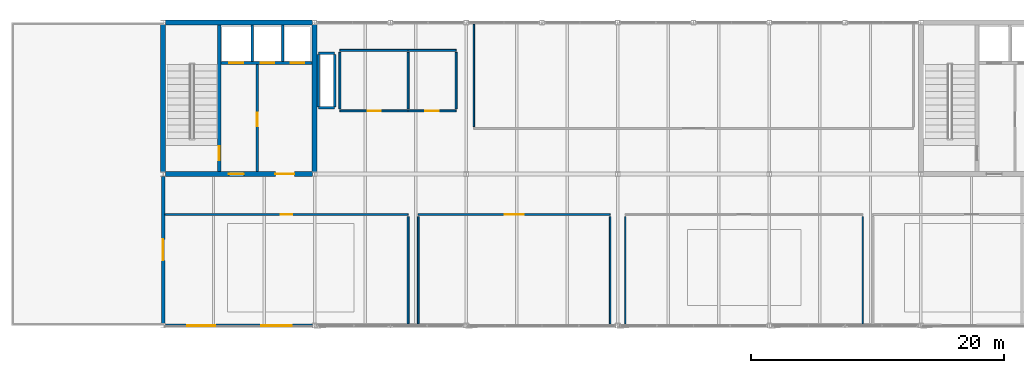
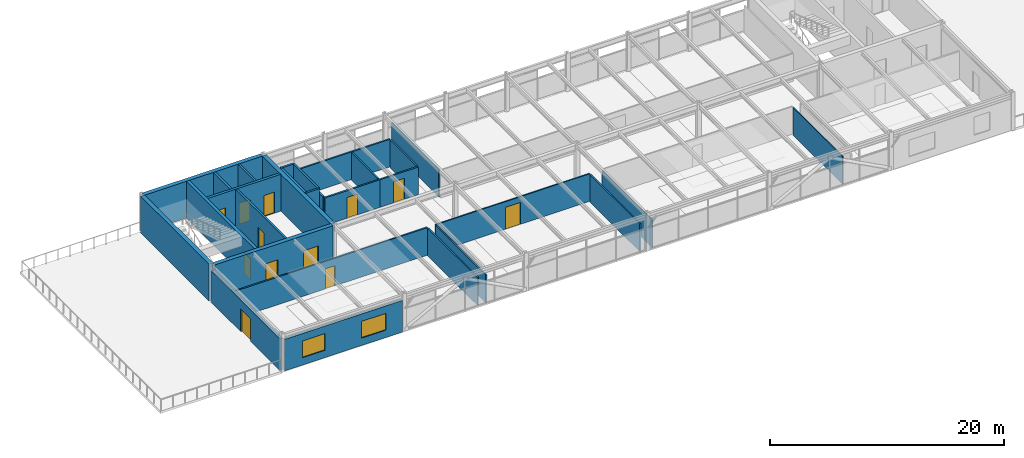
# One storey, part 27 of 32: 30 walls, 12 doors, 2 windows, 14 openings.
"""IFC4 building model written with IfcOpenShell, lengths in metres."""

from ifc_helpers import new_model, si_unit, direction, frame, frame_2d, origin, place, context, subcontext, project, spatial, rectangle, extrude, material, layer, layer_set, type_object, element, fill, save


model = new_model("IFC4")

# Units and contexts
model_context = context("Model", 3, precision=1e-05, world=origin(), true_north=direction((0.0, 1.0)))
body_context = subcontext(model_context, "Body", "Model", "MODEL_VIEW")
ifc_project = project(units=[si_unit("LENGTHUNIT", "METRE"), si_unit("AREAUNIT", "SQUARE_METRE"), si_unit("VOLUMEUNIT", "CUBIC_METRE"), si_unit("PLANEANGLEUNIT", "RADIAN"), si_unit("MASSUNIT", "GRAM", prefix="KILO")], contexts=[model_context])

# Site, building, storey
site_placement = place(None, origin())
site = spatial("IfcSite", under=ifc_project, at=site_placement, CompositionType="ELEMENT")
building_placement = place(site_placement, origin())
building = spatial("IfcBuilding", under=site, at=building_placement, Name="Girod Span Mobility Hub", CompositionType="ELEMENT")
storey_placement = place(building_placement, frame((0.0, 0.0, 61.60009765625)))
storey = spatial("IfcBuildingStorey", under=building, at=storey_placement, Name="L15", CompositionType="ELEMENT", Elevation=61.60009765625)

# Wall, openings, doors
ifc_material_1 = material(Name="Concrete C40/50", Category="concrete")
ifc_layer_1 = layer(ifc_material_1, 0.39990234375)
ifc_layer_set_1 = layer_set([ifc_layer_1], Name="Concrete C40/50")
wall_type_1 = type_object("IfcWallType", Name="W-CW-400", PredefinedType="SHEAR", material=ifc_layer_set_1)
wall_1_placement = place(storey_placement, frame((48.181396484375, 57.0, 0.0), z_axis=(0.0, 0.0, 1.0), x_axis=(1.0, 0.0, 0.0)))
wall_1 = element("IfcWall", 1, at=wall_1_placement, inside=storey, type_object=wall_type_1, Name="Core C1 Shear Wall S L15", PredefinedType="SHEAR", context=body_context, shape_type="SweptSolid", body=[
    extrude(rectangle(XDim=11.63720703125, YDim=0.39990234375, at=frame_2d((5.818603515625, 0.0))), origin(), (0.0, 0.0, 1.0), 3.843017578125),
])
opening_1_placement = place(wall_1_placement, frame((5.01904296875, 0.0, 0.0)))
opening_1 = element("IfcOpeningElement", 2, at=opening_1_placement, cuts=wall_1, Name="Opening D-FL-C1-L15", PredefinedType="OPENING", context=body_context, shape_type="SweptSolid", body=[
    extrude(rectangle(XDim=1.199951171875, YDim=2.199951171875, at=frame_2d((0.60009765625, 1.10009765625))), frame((0.0, 0.21484375, 0.0), z_axis=(0.0, -1.0, 0.0), x_axis=(1.0, 0.0, 0.0)), (0.0, 0.0, 1.0), 0.429931640625),
])
opening_2_placement = place(wall_1_placement, frame((8.718017578125, 0.0, 0.0)))
opening_2 = element("IfcOpeningElement", 3, at=opening_2_placement, cuts=wall_1, Name="Opening D-LB-C1-L15", PredefinedType="OPENING", context=body_context, shape_type="SweptSolid", body=[
    extrude(rectangle(XDim=1.5, YDim=2.25, at=frame_2d((0.75, 1.125))), frame((0.0, 0.21484375, 0.0), z_axis=(0.0, -1.0, 0.0), x_axis=(1.0, 0.0, 0.0)), (0.0, 0.0, 1.0), 0.429931640625),
])
ifc_material_2 = material(Name="Fire-Rated Insulated Hollow Metal Steel", Category="steel")
door_type_1 = type_object("IfcDoorType", Name="DT-FD-03", OperationType="DOUBLE_DOOR_SINGLE_SWING", PredefinedType="DOOR", material=ifc_material_2)
door_1_placement = place(opening_2_placement, origin())
door_1 = element("IfcDoor", 4, at=door_1_placement, inside=storey, type_object=door_type_1, Name="Lift Lobby Entry Door C1 L15", OperationType="DOUBLE_DOOR_SINGLE_SWING", OverallHeight=2.25, OverallWidth=1.5, PredefinedType="DOOR", context=body_context, shape_type="SweptSolid", body=[
    extrude(rectangle(XDim=1.5, YDim=2.25, at=frame_2d((0.75, 1.125))), frame((0.0, 0.02490234375, 0.0), z_axis=(0.0, -1.0, 0.0), x_axis=(1.0, 0.0, 0.0)), (0.0, 0.0, 1.0), 0.050048828125),
])
fill(opening_2, door_1)
ifc_material_3 = material(Name="Fire-Rated Insulated Hollow Metal Steel", Category="steel")
door_type_2 = type_object("IfcDoorType", Name="DT-FD-05", OperationType="NOTDEFINED", PredefinedType="DOOR", material=ifc_material_3)
door_2_placement = place(opening_1_placement, origin())
door_2 = element("IfcDoor", 5, at=door_2_placement, inside=storey, type_object=door_type_2, Name="Firefighting Lobby Entry Door C1 L15", OperationType="SINGLE_SWING_RIGHT", OverallHeight=2.199951171875, OverallWidth=1.199951171875, PredefinedType="DOOR", context=body_context, shape_type="SweptSolid", body=[
    extrude(rectangle(XDim=1.199951171875, YDim=2.199951171875, at=frame_2d((0.60009765625, 1.10009765625))), frame((0.0, 0.02490234375, 0.0), z_axis=(0.0, -1.0, 0.0), x_axis=(1.0, 0.0, 0.0)), (0.0, 0.0, 1.0), 0.050048828125),
])
fill(opening_1, door_2)

# Walls
wall_2_placement = place(storey_placement, frame((48.181396484375, 69.0, 0.0), z_axis=(0.0, 0.0, 1.0), x_axis=(1.0, 0.0, 0.0)))
element("IfcWall", 6, at=wall_2_placement, inside=storey, type_object=wall_type_1, Name="Core C1 Shear Wall N L15", PredefinedType="SHEAR", context=body_context, shape_type="SweptSolid", body=[
    extrude(rectangle(XDim=11.63720703125, YDim=0.39990234375, at=frame_2d((5.818603515625, 0.0))), origin(), (0.0, 0.0, 1.0), 3.843017578125),
])
for number, where, z_axis, x_axis, name in (
    (7, (48.0, 57.175048828125, 0.0), (0.0, 0.0, 1.0), (0.0, 1.0, 0.0), "Core C1 Shear Wall W L15"),
    (8, (60.0, 57.175048828125, 0.0), (0.0, 0.0, 1.0), (0.0, 1.0, 0.0), "Core C1 Shear Wall E L15"),
):
    element("IfcWall", number, at=place(storey_placement, frame(where, z_axis=z_axis, x_axis=x_axis)), inside=storey, type_object=wall_type_1, Name=name, PredefinedType="SHEAR", context=body_context, shape_type="SweptSolid", body=[
        extrude(rectangle(XDim=11.64990234375, YDim=0.39990234375, at=frame_2d((5.824951171875, 0.0))), origin(), (0.0, 0.0, 1.0), 3.843017578125),
    ])

# Wall, openings, windows
ifc_material_4 = material(Name="Precast Architectural Concrete C40/50", Category="concrete")
ifc_layer_2 = layer(ifc_material_4, 0.235107421875)
ifc_layer_set_2 = layer_set([ifc_layer_2], Name="Precast Architectural Concrete C40/50")
wall_type_2 = type_object("IfcWallType", Name="W-EXT-235", PredefinedType="SOLIDWALL", material=ifc_layer_set_2)
wall_3_placement = place(storey_placement, frame((48.1826171875, 45.0, 0.0), z_axis=(0.0, 0.0, 1.0), x_axis=(1.0, 0.0, 0.0)))
wall_3 = element("IfcWall", 9, at=wall_3_placement, inside=storey, type_object=wall_type_2, Name="Office Insulated Facade Wall S-5 L15", PredefinedType="SOLIDWALL", context=body_context, shape_type="SweptSolid", body=[
    extrude(rectangle(XDim=11.634765625, YDim=0.235107421875, at=frame_2d((5.8173828125, 0.0))), origin(), (0.0, 0.0, 1.0), 3.2958984375),
])
opening_3_placement = place(wall_3_placement, frame((1.739990234375, 0.0, 0.780029296875)))
opening_3 = element("IfcOpeningElement", 10, at=opening_3_placement, cuts=wall_3, Name="Opening W-L15-S4A", PredefinedType="OPENING", context=body_context, shape_type="SweptSolid", body=[
    extrude(rectangle(XDim=2.219970703125, YDim=1.739990234375, at=frame_2d((1.10986328125, 0.8701171875))), frame((0.0, 0.132568359375, 0.0), z_axis=(0.0, -1.0, 0.0), x_axis=(1.0, 0.0, 0.0)), (0.0, 0.0, 1.0), 0.26513671875),
])
opening_4_placement = place(wall_3_placement, frame((7.5849609375, 0.0, 0.780029296875)))
opening_4 = element("IfcOpeningElement", 11, at=opening_4_placement, cuts=wall_3, Name="Opening W-L15-S4B", PredefinedType="OPENING", context=body_context, shape_type="SweptSolid", body=[
    extrude(rectangle(XDim=2.39990234375, YDim=1.739990234375, at=frame_2d((1.199951171875, 0.8701171875))), frame((0.0, 0.132568359375, 0.0), z_axis=(0.0, -1.0, 0.0), x_axis=(1.0, 0.0, 0.0)), (0.0, 0.0, 1.0), 0.26513671875),
])
ifc_material_5 = material(Name="Double Low-E Insulated Glazing", Category="glass")
window_type_1 = type_object("IfcWindowType", Name="WN-36", PartitioningType="DOUBLE_PANEL_VERTICAL", PredefinedType="WINDOW", material=ifc_material_5)
window_1_placement = place(opening_3_placement, origin())
window_1 = element("IfcWindow", 12, at=window_1_placement, inside=storey, type_object=window_type_1, Name="Office Window WN-36", OverallHeight=1.739990234375, OverallWidth=2.219970703125, PartitioningType="DOUBLE_PANEL_VERTICAL", PredefinedType="WINDOW", context=body_context, shape_type="SweptSolid", body=[
    extrude(rectangle(XDim=2.219970703125, YDim=1.739990234375, at=frame_2d((1.10986328125, 0.8701171875))), frame((0.0, 0.030029296875, 0.0), z_axis=(0.0, -1.0, 0.0), x_axis=(1.0, 0.0, 0.0)), (0.0, 0.0, 1.0), 0.06005859375),
])
fill(opening_3, window_1)
ifc_material_6 = material(Name="Double Low-E Insulated Glazing", Category="glass")
window_type_2 = type_object("IfcWindowType", Name="WN-37", PartitioningType="DOUBLE_PANEL_VERTICAL", PredefinedType="WINDOW", material=ifc_material_6)
window_2_placement = place(opening_4_placement, origin())
window_2 = element("IfcWindow", 13, at=window_2_placement, inside=storey, type_object=window_type_2, Name="Office Window WN-37", OverallHeight=1.739990234375, OverallWidth=2.39990234375, PartitioningType="DOUBLE_PANEL_VERTICAL", PredefinedType="WINDOW", context=body_context, shape_type="SweptSolid", body=[
    extrude(rectangle(XDim=2.39990234375, YDim=1.739990234375, at=frame_2d((1.199951171875, 0.8701171875))), frame((0.0, 0.030029296875, 0.0), z_axis=(0.0, -1.0, 0.0), x_axis=(1.0, 0.0, 0.0)), (0.0, 0.0, 1.0), 0.06005859375),
])
fill(opening_4, window_2)

# Wall, opening, door
ifc_material_7 = material(Name="Precast Architectural Concrete C40/50", Category="concrete")
ifc_layer_3 = layer(ifc_material_7, 0.27001953125)
ifc_layer_set_3 = layer_set([ifc_layer_3], Name="Precast Architectural Concrete C40/50")
wall_type_3 = type_object("IfcWallType", Name="W-EXT-270", PredefinedType="SOLIDWALL", material=ifc_layer_set_3)
wall_4_placement = place(storey_placement, frame((48.0, 45.176025390625, 0.0), z_axis=(0.0, 0.0, 1.0), x_axis=(0.0, 1.0, 0.0)))
wall_4 = element("IfcWall", 14, at=wall_4_placement, inside=storey, type_object=wall_type_3, Name="L15 W Sky Terrace Wall", PredefinedType="SOLIDWALL", context=body_context, shape_type="SweptSolid", body=[
    extrude(rectangle(XDim=11.64794921875, YDim=0.27001953125, at=frame_2d((5.823974609375, 0.0))), origin(), (0.0, 0.0, 1.0), 3.2958984375),
])
opening_5_placement = place(wall_4_placement, frame((4.98388671875, 0.0, 0.0)))
opening_5 = element("IfcOpeningElement", 15, at=opening_5_placement, cuts=wall_4, Name="Opening D-L15-WT", PredefinedType="OPENING", context=body_context, shape_type="SweptSolid", body=[
    extrude(rectangle(XDim=1.679931640625, YDim=2.340087890625, at=frame_2d((0.83984375, 1.169921875))), frame((0.0, 0.14990234375, 0.0), z_axis=(0.0, -1.0, 0.0), x_axis=(1.0, 0.0, 0.0)), (0.0, 0.0, 1.0), 0.300048828125),
])
ifc_material_8 = material(Name="Thermally Broken Anodised Aluminium", Category="aluminium")
door_type_3 = type_object("IfcDoorType", Name="DR-EXT-09", OperationType="DOUBLE_DOOR_SINGLE_SWING", PredefinedType="DOOR", material=ifc_material_8)
door_3_placement = place(opening_5_placement, origin())
door_3 = element("IfcDoor", 16, at=door_3_placement, inside=storey, type_object=door_type_3, Name="L15 W Sky Terrace Door", OperationType="DOUBLE_DOOR_SINGLE_SWING", OverallHeight=2.340087890625, OverallWidth=1.679931640625, PredefinedType="DOOR", context=body_context, shape_type="SweptSolid", body=[
    extrude(rectangle(XDim=1.679931640625, YDim=2.340087890625, at=frame_2d((0.83984375, 1.169921875))), frame((0.0, 0.02490234375, 0.0), z_axis=(0.0, -1.0, 0.0), x_axis=(1.0, 0.0, 0.0)), (0.0, 0.0, 1.0), 0.050048828125),
])
fill(opening_5, door_3)

ifc_material_9 = material(Name="Concrete C40/50", Category="concrete")
ifc_layer_4 = layer(ifc_material_9, 0.18994140625)
ifc_layer_set_4 = layer_set([ifc_layer_4], Name="Concrete C40/50")
wall_type_4 = type_object("IfcWallType", Name="W-FL-190", PredefinedType="SOLIDWALL", material=ifc_layer_set_4)
wall_5_placement = place(storey_placement, frame((55.449951171875, 57.199951171875, 0.0), z_axis=(0.0, 0.0, 1.0), x_axis=(0.0, 1.0, 0.0)))
wall_5 = element("IfcWall", 17, at=wall_5_placement, inside=storey, type_object=wall_type_4, Name="Core C1 Firefighting Lobby Wall L15", PredefinedType="SOLIDWALL", context=body_context, shape_type="SweptSolid", body=[
    extrude(rectangle(XDim=8.47998046875, YDim=0.18994140625, at=frame_2d((4.239990234375, 0.0))), origin(), (0.0, 0.0, 1.0), 3.8330078125),
])
opening_6_placement = place(wall_5_placement, frame((3.60009765625, 0.0, 0.0)))
opening_6 = element("IfcOpeningElement", 18, at=opening_6_placement, cuts=wall_5, Name="Opening D-FLX-C1-L15", PredefinedType="OPENING", context=body_context, shape_type="SweptSolid", body=[
    extrude(rectangle(XDim=1.0400390625, YDim=2.179931640625, at=frame_2d((0.52001953125, 1.08984375))), frame((0.0, 0.10986328125, 0.0), z_axis=(0.0, -1.0, 0.0), x_axis=(1.0, 0.0, 0.0)), (0.0, 0.0, 1.0), 0.219970703125),
])
ifc_material_10 = material(Name="Fire-Rated Insulated Hollow Metal Steel", Category="steel")
door_type_4 = type_object("IfcDoorType", Name="DT-FD-02", OperationType="NOTDEFINED", PredefinedType="DOOR", material=ifc_material_10)
door_4_placement = place(opening_6_placement, origin())
door_4 = element("IfcDoor", 19, at=door_4_placement, inside=storey, type_object=door_type_4, Name="Firefighting Lobby Interconnect Door C1 L15", OperationType="SINGLE_SWING_RIGHT", OverallHeight=2.179931640625, OverallWidth=1.0400390625, PredefinedType="DOOR", context=body_context, shape_type="SweptSolid", body=[
    extrude(rectangle(XDim=1.0400390625, YDim=2.179931640625, at=frame_2d((0.52001953125, 1.08984375))), frame((0.0, 0.02490234375, 0.0), z_axis=(0.0, -1.0, 0.0), x_axis=(1.0, 0.0, 0.0)), (0.0, 0.0, 1.0), 0.050048828125),
])
fill(opening_6, door_4)

ifc_material_11 = material(Name="Fire-Rated Gypsum Board on Metal Studs", Category="gypsum")
ifc_layer_5 = layer(ifc_material_11, 0.155029296875)
ifc_layer_set_5 = layer_set([ifc_layer_5], Name="Fire-Rated Gypsum Board on Metal Studs")
wall_type_5 = type_object("IfcWallType", Name="W-PLB-155", PredefinedType="PLUMBINGWALL", material=ifc_layer_set_5)
wall_6_placement = place(storey_placement, frame((62.0, 62.0, 0.0), z_axis=(0.0, 0.0, 1.0), x_axis=(1.0, 0.0, 0.0)))
wall_6 = element("IfcWall", 20, at=wall_6_placement, inside=storey, type_object=wall_type_5, Name="Restroom L15 Partition S", PredefinedType="PLUMBINGWALL", context=body_context, shape_type="SweptSolid", body=[
    extrude(rectangle(XDim=5.39990234375, YDim=0.155029296875, at=frame_2d((2.699951171875, 0.0))), origin(), (0.0, 0.0, 1.0), 2.8798828125),
])
opening_7_placement = place(wall_6_placement, frame((2.18505859375, 0.0, 0.0)))
opening_7 = element("IfcOpeningElement", 21, at=opening_7_placement, cuts=wall_6, Name="Opening D-L15-WC-MAIN", PredefinedType="OPENING", context=body_context, shape_type="SweptSolid", body=[
    extrude(rectangle(XDim=1.030029296875, YDim=2.169921875, at=frame_2d((0.51513671875, 1.0849609375))), frame((0.0, 0.092529296875, 0.0), z_axis=(0.0, -1.0, 0.0), x_axis=(1.0, 0.0, 0.0)), (0.0, 0.0, 1.0), 0.18505859375),
])
ifc_material_12 = material(Name="Solid-Core Architectural Timber", Category="wood")
door_type_5 = type_object("IfcDoorType", Name="DT-NR-04", OperationType="NOTDEFINED", PredefinedType="DOOR", material=ifc_material_12)
door_5_placement = place(opening_7_placement, origin())
door_5 = element("IfcDoor", 22, at=door_5_placement, inside=storey, type_object=door_type_5, Name="Restroom L15 Door", OperationType="SINGLE_SWING_RIGHT", OverallHeight=2.169921875, OverallWidth=1.030029296875, PredefinedType="DOOR", context=body_context, shape_type="SweptSolid", body=[
    extrude(rectangle(XDim=1.030029296875, YDim=2.169921875, at=frame_2d((0.51513671875, 1.0849609375))), frame((0.0, 0.02490234375, 0.0), z_axis=(0.0, -1.0, 0.0), x_axis=(1.0, 0.0, 0.0)), (0.0, 0.0, 1.0), 0.050048828125),
])
fill(opening_7, door_5)

# Walls
wall_7_placement = place(storey_placement, frame((62.0, 66.800048828125, 0.0), z_axis=(0.0, 0.0, 1.0), x_axis=(1.0, 0.0, 0.0)))
element("IfcWall", 23, at=wall_7_placement, inside=storey, type_object=wall_type_5, Name="Restroom L15 Partition N", PredefinedType="PLUMBINGWALL", context=body_context, shape_type="SweptSolid", body=[
    extrude(rectangle(XDim=5.39990234375, YDim=0.155029296875, at=frame_2d((2.699951171875, 0.0))), origin(), (0.0, 0.0, 1.0), 2.8798828125),
])
for number, where, z_axis, x_axis, name in (
    (24, (62.0, 62.159912109375, 0.0), (0.0, 0.0, 1.0), (0.0, 1.0, 0.0), "Restroom L15 Partition W"),
    (25, (67.39990234375, 62.159912109375, 0.0), (0.0, 0.0, 1.0), (0.0, 1.0, 0.0), "Restroom L15 Partition E"),
):
    element("IfcWall", number, at=place(storey_placement, frame(where, z_axis=z_axis, x_axis=x_axis)), inside=storey, type_object=wall_type_5, Name=name, PredefinedType="PLUMBINGWALL", context=body_context, shape_type="SweptSolid", body=[
        extrude(rectangle(XDim=4.47998046875, YDim=0.155029296875, at=frame_2d((2.239990234375, 0.0))), origin(), (0.0, 0.0, 1.0), 2.8798828125),
    ])

# Wall, opening, door
wall_8_placement = place(storey_placement, frame((67.39990234375, 62.0, 0.0), z_axis=(0.0, 0.0, 1.0), x_axis=(1.0, 0.0, 0.0)))
wall_8 = element("IfcWall", 26, at=wall_8_placement, inside=storey, type_object=wall_type_5, Name="Accessible WC L15 Partition S", PredefinedType="PLUMBINGWALL", context=body_context, shape_type="SweptSolid", body=[
    extrude(rectangle(XDim=3.800048828125, YDim=0.155029296875, at=frame_2d((1.89990234375, 0.0))), origin(), (0.0, 0.0, 1.0), 2.8798828125),
])
opening_8_placement = place(wall_8_placement, frame((1.364990234375, 0.0, 0.0)))
opening_8 = element("IfcOpeningElement", 27, at=opening_8_placement, cuts=wall_8, Name="Opening D-L15-WC-ACC", PredefinedType="OPENING", context=body_context, shape_type="SweptSolid", body=[
    extrude(rectangle(XDim=1.070068359375, YDim=2.18994140625, at=frame_2d((0.53515625, 1.094970703125))), frame((0.0, 0.092529296875, 0.0), z_axis=(0.0, -1.0, 0.0), x_axis=(1.0, 0.0, 0.0)), (0.0, 0.0, 1.0), 0.18505859375),
])
ifc_material_13 = material(Name="Solid-Core Architectural Timber", Category="wood")
door_type_6 = type_object("IfcDoorType", Name="DT-NR-05", OperationType="NOTDEFINED", PredefinedType="DOOR", material=ifc_material_13)
door_6_placement = place(opening_8_placement, origin())
door_6 = element("IfcDoor", 28, at=door_6_placement, inside=storey, type_object=door_type_6, Name="Accessible WC L15 Door", OperationType="SINGLE_SWING_LEFT", OverallHeight=2.18994140625, OverallWidth=1.070068359375, PredefinedType="DOOR", context=body_context, shape_type="SweptSolid", body=[
    extrude(rectangle(XDim=1.070068359375, YDim=2.18994140625, at=frame_2d((0.53515625, 1.094970703125))), frame((0.0, 0.02490234375, 0.0), z_axis=(0.0, -1.0, 0.0), x_axis=(1.0, 0.0, 0.0)), (0.0, 0.0, 1.0), 0.050048828125),
])
fill(opening_8, door_6)

# Walls
wall_9_placement = place(storey_placement, frame((67.39990234375, 66.800048828125, 0.0), z_axis=(0.0, 0.0, 1.0), x_axis=(1.0, 0.0, 0.0)))
element("IfcWall", 29, at=wall_9_placement, inside=storey, type_object=wall_type_5, Name="Accessible WC L15 Partition N", PredefinedType="PLUMBINGWALL", context=body_context, shape_type="SweptSolid", body=[
    extrude(rectangle(XDim=3.800048828125, YDim=0.155029296875, at=frame_2d((1.89990234375, 0.0))), origin(), (0.0, 0.0, 1.0), 2.8798828125),
])
wall_10_placement = place(storey_placement, frame((71.199951171875, 62.159912109375, 0.0), z_axis=(0.0, 0.0, 1.0), x_axis=(0.0, 1.0, 0.0)))
element("IfcWall", 30, at=wall_10_placement, inside=storey, type_object=wall_type_5, Name="Accessible WC L15 Partition E", PredefinedType="PLUMBINGWALL", context=body_context, shape_type="SweptSolid", body=[
    extrude(rectangle(XDim=4.47998046875, YDim=0.155029296875, at=frame_2d((2.239990234375, 0.0))), origin(), (0.0, 0.0, 1.0), 2.8798828125),
])
ifc_material_14 = material(Name="Fire-Rated Gypsum Board on Metal Studs", Category="gypsum")
ifc_layer_6 = layer(ifc_material_14, 0.097900390625)
ifc_layer_set_6 = layer_set([ifc_layer_6], Name="Fire-Rated Gypsum Board on Metal Studs")
wall_type_6 = type_object("IfcWallType", Name="W-PT-098", PredefinedType="PARTITIONING", material=ifc_layer_set_6)
for number, where, z_axis, x_axis, name in (
    (31, (84.60009765625, 45.139892578125, 0.0), (0.0, 0.0, 1.0), (0.0, 1.0, 0.0), "Planning Studio Crown L15 Partition W"),
    (32, (103.39990234375, 45.139892578125, 0.0), (0.0, 0.0, 1.0), (0.0, 1.0, 0.0), "Planning Studio Crown L15 Partition E"),
):
    element("IfcWall", number, at=place(storey_placement, frame(where, z_axis=z_axis, x_axis=x_axis)), inside=storey, type_object=wall_type_6, Name=name, PredefinedType="PARTITIONING", context=body_context, shape_type="SweptSolid", body=[
        extrude(rectangle(XDim=8.5, YDim=0.097900390625, at=frame_2d((4.25, 0.0))), origin(), (0.0, 0.0, 1.0), 2.8798828125),
    ])
ifc_material_15 = material(Name="Fire-Rated Gypsum Board on Metal Studs", Category="gypsum")
ifc_layer_7 = layer(ifc_material_15, 0.114990234375)
ifc_layer_set_7 = layer_set([ifc_layer_7], Name="Fire-Rated Gypsum Board on Metal Studs")
wall_type_7 = type_object("IfcWallType", Name="W-PT-115", PredefinedType="PARTITIONING", material=ifc_layer_set_7)
wall_11_placement = place(storey_placement, frame((72.60009765625, 60.760009765625, 0.0), z_axis=(0.0, 0.0, 1.0), x_axis=(0.0, 1.0, 0.0)))
element("IfcWall", 33, at=wall_11_placement, inside=storey, type_object=wall_type_7, Name="Executive Studio North L15 Partition W", PredefinedType="PARTITIONING", context=body_context, shape_type="SweptSolid", body=[
    extrude(rectangle(XDim=8.10009765625, YDim=0.114990234375, at=frame_2d((4.050048828125, 0.0))), origin(), (0.0, 0.0, 1.0), 2.8798828125),
])

# Wall, opening, door
ifc_material_16 = material(Name="Fire-Rated Gypsum Board on Metal Studs", Category="gypsum")
ifc_layer_8 = layer(ifc_material_16, 0.125)
ifc_layer_set_8 = layer_set([ifc_layer_8], Name="Fire-Rated Gypsum Board on Metal Studs")
wall_type_8 = type_object("IfcWallType", Name="W-PT-125", PredefinedType="PARTITIONING", material=ifc_layer_set_8)
wall_12_placement = place(storey_placement, frame((68.199951171875, 53.800048828125, 0.0), z_axis=(0.0, 0.0, 1.0), x_axis=(1.0, 0.0, 0.0)))
wall_12 = element("IfcWall", 34, at=wall_12_placement, inside=storey, type_object=wall_type_8, Name="Conference Room South L15 Partition N", PredefinedType="PARTITIONING", context=body_context, shape_type="SweptSolid", body=[
    extrude(rectangle(XDim=15.199951171875, YDim=0.125, at=frame_2d((7.60009765625, 0.0))), origin(), (0.0, 0.0, 1.0), 2.8798828125),
])
opening_9_placement = place(wall_12_placement, frame((6.85498046875, 0.0, 0.0)))
opening_9 = element("IfcOpeningElement", 35, at=opening_9_placement, cuts=wall_12, Name="Opening D-L15-CONF-CC", PredefinedType="OPENING", context=body_context, shape_type="SweptSolid", body=[
    extrude(rectangle(XDim=1.489990234375, YDim=2.280029296875, at=frame_2d((0.7451171875, 1.14013671875))), frame((0.0, 0.077392578125, 0.0), z_axis=(0.0, -1.0, 0.0), x_axis=(1.0, 0.0, 0.0)), (0.0, 0.0, 1.0), 0.155029296875),
])
ifc_material_17 = material(Name="Solid-Core Architectural Timber", Category="wood")
door_type_7 = type_object("IfcDoorType", Name="DT-NR-13", OperationType="DOUBLE_DOOR_SINGLE_SWING", PredefinedType="DOOR", material=ifc_material_17)
door_7_placement = place(opening_9_placement, origin())
door_7 = element("IfcDoor", 36, at=door_7_placement, inside=storey, type_object=door_type_7, Name="Conference Room South L15 Door", OperationType="DOUBLE_DOOR_SINGLE_SWING", OverallHeight=2.280029296875, OverallWidth=1.489990234375, PredefinedType="DOOR", context=body_context, shape_type="SweptSolid", body=[
    extrude(rectangle(XDim=1.489990234375, YDim=2.280029296875, at=frame_2d((0.7451171875, 1.14013671875))), frame((0.0, 0.02490234375, 0.0), z_axis=(0.0, -1.0, 0.0), x_axis=(1.0, 0.0, 0.0)), (0.0, 0.0, 1.0), 0.050048828125),
])
fill(opening_9, door_7)

# Walls
for number, where, z_axis, x_axis, name in (
    (37, (68.199951171875, 45.139892578125, 0.0), (0.0, 0.0, 1.0), (0.0, 1.0, 0.0), "Conference Room South L15 Partition W"),
    (38, (83.39990234375, 45.139892578125, 0.0), (0.0, 0.0, 1.0), (0.0, 1.0, 0.0), "Conference Room South L15 Partition E"),
):
    element("IfcWall", number, at=place(storey_placement, frame(where, z_axis=z_axis, x_axis=x_axis)), inside=storey, type_object=wall_type_8, Name=name, PredefinedType="PARTITIONING", context=body_context, shape_type="SweptSolid", body=[
        extrude(rectangle(XDim=8.5, YDim=0.125, at=frame_2d((4.25, 0.0))), origin(), (0.0, 0.0, 1.0), 2.8798828125),
    ])

# Wall, opening, door
ifc_material_18 = material(Name="Fire-Rated Gypsum Board on Metal Studs", Category="gypsum")
ifc_layer_9 = layer(ifc_material_18, 0.139892578125)
ifc_layer_set_9 = layer_set([ifc_layer_9], Name="Fire-Rated Gypsum Board on Metal Studs")
wall_type_9 = type_object("IfcWallType", Name="W-PT-140", PredefinedType="PARTITIONING", material=ifc_layer_set_9)
wall_13_placement = place(storey_placement, frame((48.139892578125, 53.800048828125, 0.0), z_axis=(0.0, 0.0, 1.0), x_axis=(1.0, 0.0, 0.0)))
wall_13 = element("IfcWall", 39, at=wall_13_placement, inside=storey, type_object=wall_type_9, Name="Office Suite West L15 Partition N", PredefinedType="PARTITIONING", context=body_context, shape_type="SweptSolid", body=[
    extrude(rectangle(XDim=19.260009765625, YDim=0.139892578125, at=frame_2d((9.6298828125, 0.0))), origin(), (0.0, 0.0, 1.0), 2.8798828125),
])
opening_10_placement = place(wall_13_placement, frame((9.169921875, 0.0, 0.0)))
opening_10 = element("IfcOpeningElement", 40, at=opening_10_placement, cuts=wall_13, Name="Opening D-L15-OFF-CW", PredefinedType="OPENING", context=body_context, shape_type="SweptSolid", body=[
    extrude(rectangle(XDim=0.919921875, YDim=2.10009765625, at=frame_2d((0.4599609375, 1.050048828125))), frame((0.0, 0.0849609375, 0.0), z_axis=(0.0, -1.0, 0.0), x_axis=(1.0, 0.0, 0.0)), (0.0, 0.0, 1.0), 0.169921875),
])
ifc_material_19 = material(Name="Solid-Core Architectural Timber", Category="wood")
door_type_8 = type_object("IfcDoorType", Name="DT-NR-01", OperationType="NOTDEFINED", PredefinedType="DOOR", material=ifc_material_19)
door_8_placement = place(opening_10_placement, origin())
door_8 = element("IfcDoor", 41, at=door_8_placement, inside=storey, type_object=door_type_8, Name="Office Suite West L15 Door", OperationType="SINGLE_SWING_LEFT", OverallHeight=2.10009765625, OverallWidth=0.919921875, PredefinedType="DOOR", context=body_context, shape_type="SweptSolid", body=[
    extrude(rectangle(XDim=0.919921875, YDim=2.10009765625, at=frame_2d((0.4599609375, 1.050048828125))), frame((0.0, 0.02490234375, 0.0), z_axis=(0.0, -1.0, 0.0), x_axis=(1.0, 0.0, 0.0)), (0.0, 0.0, 1.0), 0.050048828125),
])
fill(opening_10, door_8)

# Walls
wall_14_placement = place(storey_placement, frame((67.39990234375, 45.139892578125, 0.0), z_axis=(0.0, 0.0, 1.0), x_axis=(0.0, 1.0, 0.0)))
element("IfcWall", 42, at=wall_14_placement, inside=storey, type_object=wall_type_9, Name="Office Suite West L15 Partition E", PredefinedType="PARTITIONING", context=body_context, shape_type="SweptSolid", body=[
    extrude(rectangle(XDim=8.5, YDim=0.139892578125, at=frame_2d((4.25, 0.0))), origin(), (0.0, 0.0, 1.0), 2.8798828125),
])
ifc_material_20 = material(Name="Concrete C40/50", Category="concrete")
ifc_layer_10 = layer(ifc_material_20, 0.199951171875)
ifc_layer_set_10 = layer_set([ifc_layer_10], Name="Concrete C40/50")
wall_type_10 = type_object("IfcWallType", Name="W-SH-200", PredefinedType="SOLIDWALL", material=ifc_layer_set_10)
for number, where, z_axis, x_axis, name in (
    (43, (60.297119140625, 62.25, 0.0), (0.0, 0.0, 1.0), (1.0, 0.0, 0.0), "Sanitary Wet Riser Shaft Wall S L15"),
    (44, (60.297119140625, 66.550048828125, 0.0), (0.0, 0.0, 1.0), (1.0, 0.0, 0.0), "Sanitary Wet Riser Shaft Wall N L15"),
):
    element("IfcWall", number, at=place(storey_placement, frame(where, z_axis=z_axis, x_axis=x_axis)), inside=storey, type_object=wall_type_10, Name=name, PredefinedType="SOLIDWALL", context=body_context, shape_type="SweptSolid", body=[
        extrude(rectangle(XDim=1.282958984375, YDim=0.199951171875, at=frame_2d((0.6416015625, 0.0))), origin(), (0.0, 0.0, 1.0), 3.843017578125),
    ])
for number, where, z_axis, x_axis, name in (
    (45, (60.297119140625, 62.330078125, 0.0), (0.0, 0.0, 1.0), (0.0, 1.0, 0.0), "Sanitary Wet Riser Shaft Wall W L15"),
    (46, (61.580078125, 62.330078125, 0.0), (0.0, 0.0, 1.0), (0.0, 1.0, 0.0), "Sanitary Wet Riser Shaft Wall E L15"),
):
    element("IfcWall", number, at=place(storey_placement, frame(where, z_axis=z_axis, x_axis=x_axis)), inside=storey, type_object=wall_type_10, Name=name, PredefinedType="SOLIDWALL", context=body_context, shape_type="SweptSolid", body=[
        extrude(rectangle(XDim=4.139892578125, YDim=0.199951171875, at=frame_2d((2.06982421875, 0.0))), origin(), (0.0, 0.0, 1.0), 3.843017578125),
    ])
for number, where, z_axis, x_axis, name in (
    (47, (55.050048828125, 65.919921875, 0.0), (0.0, 0.0, 1.0), (0.0, 1.0, 0.0), "Core C1 Shaft Divider 1 L15"),
    (48, (57.47998046875, 65.919921875, 0.0), (0.0, 0.0, 1.0), (0.0, 1.0, 0.0), "Core C1 Shaft Divider 2 L15"),
):
    element("IfcWall", number, at=place(storey_placement, frame(where, z_axis=z_axis, x_axis=x_axis)), inside=storey, type_object=wall_type_10, Name=name, PredefinedType="SOLIDWALL", context=body_context, shape_type="SweptSolid", body=[
        extrude(rectangle(XDim=2.880126953125, YDim=0.199951171875, at=frame_2d((1.43994140625, 0.0))), origin(), (0.0, 0.0, 1.0), 3.8330078125),
    ])

# Wall, openings, doors
ifc_material_21 = material(Name="Concrete C40/50", Category="concrete")
ifc_layer_11 = layer(ifc_material_21, 0.25)
ifc_layer_set_11 = layer_set([ifc_layer_11], Name="Concrete C40/50")
wall_type_11 = type_object("IfcWallType", Name="W-SH-250", PredefinedType="SOLIDWALL", material=ifc_layer_set_11)
wall_15_placement = place(storey_placement, frame((52.596923828125, 65.800048828125, 0.0), z_axis=(0.0, 0.0, 1.0), x_axis=(1.0, 0.0, 0.0)))
wall_15 = element("IfcWall", 49, at=wall_15_placement, inside=storey, type_object=wall_type_11, Name="Core C1 Hoistway Front Wall L15", PredefinedType="SOLIDWALL", context=body_context, shape_type="SweptSolid", body=[
    extrude(rectangle(XDim=7.2060546875, YDim=0.25, at=frame_2d((3.60302734375, 0.0))), origin(), (0.0, 0.0, 1.0), 3.843017578125),
])
opening_11_placement = place(wall_15_placement, frame((0.653076171875, 0.0, 0.0)))
opening_11 = element("IfcOpeningElement", 50, at=opening_11_placement, cuts=wall_15, Name="Opening LD-FL-1-L15", PredefinedType="OPENING", context=body_context, shape_type="SweptSolid", body=[
    extrude(rectangle(XDim=1.10009765625, YDim=2.239990234375, at=frame_2d((0.550048828125, 1.1201171875))), frame((0.0, 0.139892578125, 0.0), z_axis=(0.0, -1.0, 0.0), x_axis=(1.0, 0.0, 0.0)), (0.0, 0.0, 1.0), 0.280029296875),
])
opening_12_placement = place(wall_15_placement, frame((3.153076171875, 0.0, 0.0)))
opening_12 = element("IfcOpeningElement", 51, at=opening_12_placement, cuts=wall_15, Name="Opening LD-LP-1-L15", PredefinedType="OPENING", context=body_context, shape_type="SweptSolid", body=[
    extrude(rectangle(XDim=1.050048828125, YDim=2.199951171875, at=frame_2d((0.52490234375, 1.10009765625))), frame((0.0, 0.139892578125, 0.0), z_axis=(0.0, -1.0, 0.0), x_axis=(1.0, 0.0, 0.0)), (0.0, 0.0, 1.0), 0.280029296875),
])
opening_13_placement = place(wall_15_placement, frame((5.528076171875, 0.0, 0.0)))
opening_13 = element("IfcOpeningElement", 52, at=opening_13_placement, cuts=wall_15, Name="Opening LD-LP-2-L15", PredefinedType="OPENING", context=body_context, shape_type="SweptSolid", body=[
    extrude(rectangle(XDim=1.050048828125, YDim=2.199951171875, at=frame_2d((0.52490234375, 1.10009765625))), frame((0.0, 0.139892578125, 0.0), z_axis=(0.0, -1.0, 0.0), x_axis=(1.0, 0.0, 0.0)), (0.0, 0.0, 1.0), 0.280029296875),
])
ifc_material_22 = material(Name="Brushed Stainless Steel Grade 304", Category="steel")
door_type_9 = type_object("IfcDoorType", Name="LD-FL-110", OperationType="SLIDING_TO_LEFT", PredefinedType="USERDEFINED", material=ifc_material_22)
door_9_placement = place(opening_11_placement, origin())
door_9 = element("IfcDoor", 53, at=door_9_placement, inside=storey, type_object=door_type_9, Name="Lift FL-1 Sliding Landing Door L15", ObjectType="LANDING DOOR", OperationType="SLIDING_TO_LEFT", OverallHeight=2.239990234375, OverallWidth=1.10009765625, PredefinedType="USERDEFINED", context=body_context, shape_type="SweptSolid", body=[
    extrude(rectangle(XDim=1.10009765625, YDim=2.239990234375, at=frame_2d((0.550048828125, 1.1201171875))), frame((0.0, 0.02490234375, 0.0), z_axis=(0.0, -1.0, 0.0), x_axis=(1.0, 0.0, 0.0)), (0.0, 0.0, 1.0), 0.050048828125),
])
fill(opening_11, door_9)
ifc_material_23 = material(Name="Brushed Stainless Steel Grade 304", Category="steel")
door_type_10 = type_object("IfcDoorType", Name="LD-LP-105", OperationType="SLIDING_TO_LEFT", PredefinedType="USERDEFINED", material=ifc_material_23)
door_10_placement = place(opening_12_placement, origin())
door_10 = element("IfcDoor", 54, at=door_10_placement, inside=storey, type_object=door_type_10, Name="Lift LP-1 Sliding Landing Door L15", ObjectType="LANDING DOOR", OperationType="SLIDING_TO_LEFT", OverallHeight=2.199951171875, OverallWidth=1.050048828125, PredefinedType="USERDEFINED", context=body_context, shape_type="SweptSolid", body=[
    extrude(rectangle(XDim=1.050048828125, YDim=2.199951171875, at=frame_2d((0.52490234375, 1.10009765625))), frame((0.0, 0.02490234375, 0.0), z_axis=(0.0, -1.0, 0.0), x_axis=(1.0, 0.0, 0.0)), (0.0, 0.0, 1.0), 0.050048828125),
])
fill(opening_12, door_10)
door_11_placement = place(opening_13_placement, origin())
door_11 = element("IfcDoor", 55, at=door_11_placement, inside=storey, type_object=door_type_10, Name="Lift LP-2 Sliding Landing Door L15", ObjectType="LANDING DOOR", OperationType="SLIDING_TO_LEFT", OverallHeight=2.199951171875, OverallWidth=1.050048828125, PredefinedType="USERDEFINED", context=body_context, shape_type="SweptSolid", body=[
    extrude(rectangle(XDim=1.050048828125, YDim=2.199951171875, at=frame_2d((0.52490234375, 1.10009765625))), frame((0.0, 0.02490234375, 0.0), z_axis=(0.0, -1.0, 0.0), x_axis=(1.0, 0.0, 0.0)), (0.0, 0.0, 1.0), 0.050048828125),
])
fill(opening_13, door_11)

# Wall, opening, door
ifc_material_24 = material(Name="Concrete C40/50", Category="concrete")
ifc_layer_12 = layer(ifc_material_24, 0.300048828125)
ifc_layer_set_12 = layer_set([ifc_layer_12], Name="Concrete C40/50")
wall_type_12 = type_object("IfcWallType", Name="W-SH-300", PredefinedType="SHEAR", material=ifc_layer_set_12)
wall_16_placement = place(storey_placement, frame((52.449951171875, 57.197021484375, 0.0), z_axis=(0.0, 0.0, 1.0), x_axis=(0.0, 1.0, 0.0)))
wall_16 = element("IfcWall", 56, at=wall_16_placement, inside=storey, type_object=wall_type_12, Name="Core C1 Stairwell Spine Wall L15", PredefinedType="SHEAR", context=body_context, shape_type="SweptSolid", body=[
    extrude(rectangle(XDim=11.60595703125, YDim=0.300048828125, at=frame_2d((5.802978515625, 0.0))), origin(), (0.0, 0.0, 1.0), 3.843017578125),
])
opening_14_placement = place(wall_16_placement, frame((0.89990234375, 0.0, 0.0)))
opening_14 = element("IfcOpeningElement", 57, at=opening_14_placement, cuts=wall_16, Name="Opening D-ST-1-L15", PredefinedType="OPENING", context=body_context, shape_type="SweptSolid", body=[
    extrude(rectangle(XDim=1.10009765625, YDim=2.199951171875, at=frame_2d((0.550048828125, 1.10009765625))), frame((0.0, 0.1650390625, 0.0), z_axis=(0.0, -1.0, 0.0), x_axis=(1.0, 0.0, 0.0)), (0.0, 0.0, 1.0), 0.330078125),
])
ifc_material_25 = material(Name="Fire-Rated Insulated Hollow Metal Steel", Category="steel")
door_type_11 = type_object("IfcDoorType", Name="DT-FD-01", OperationType="NOTDEFINED", PredefinedType="DOOR", material=ifc_material_25)
door_12_placement = place(opening_14_placement, origin())
door_12 = element("IfcDoor", 58, at=door_12_placement, inside=storey, type_object=door_type_11, Name="Stair ST-1 Fire Door L15", OperationType="SINGLE_SWING_LEFT", OverallHeight=2.199951171875, OverallWidth=1.10009765625, PredefinedType="DOOR", context=body_context, shape_type="SweptSolid", body=[
    extrude(rectangle(XDim=1.10009765625, YDim=2.199951171875, at=frame_2d((0.550048828125, 1.10009765625))), frame((0.0, 0.02490234375, 0.0), z_axis=(0.0, -1.0, 0.0), x_axis=(1.0, 0.0, 0.0)), (0.0, 0.0, 1.0), 0.050048828125),
])
fill(opening_14, door_12)

save(model, "model.ifc")
